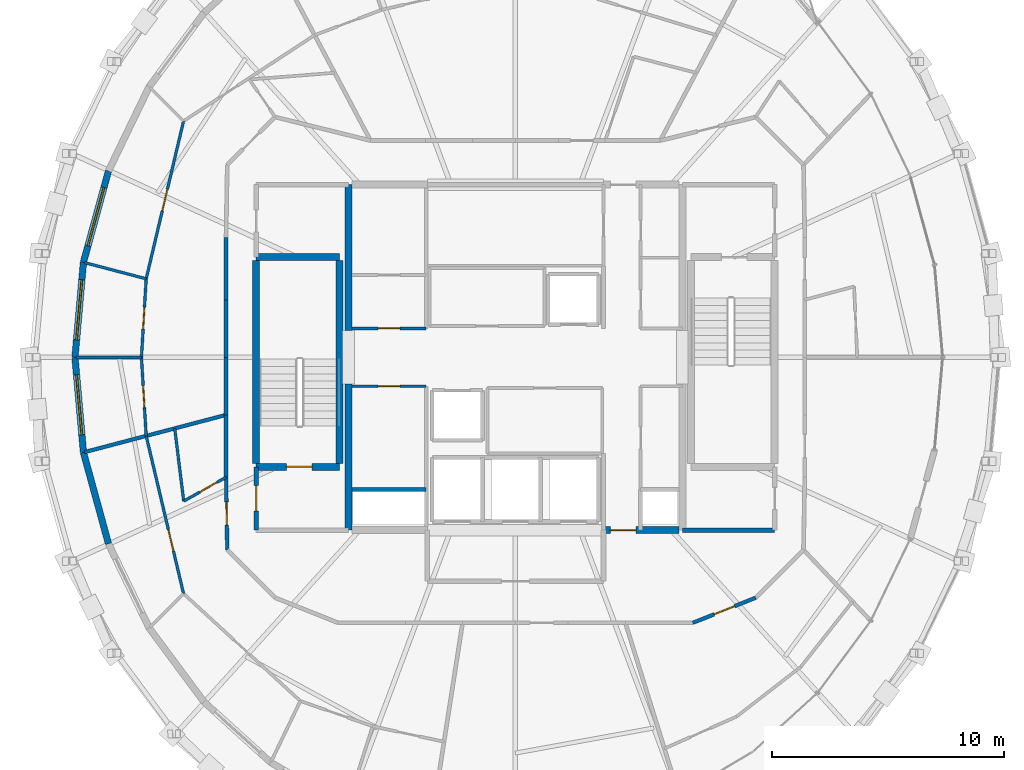
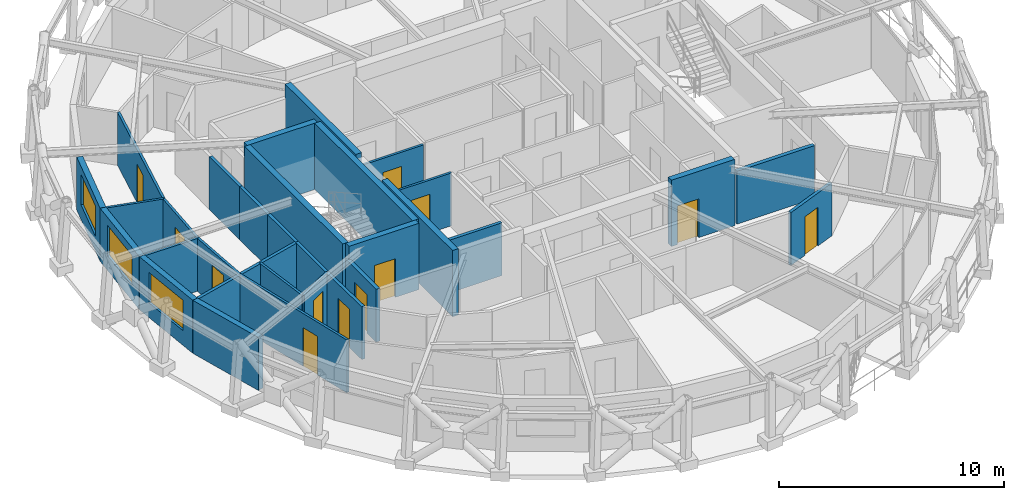
# One storey, part 11 of 15: 31 walls, 12 doors, 3 windows, 15 openings.
"""IFC4 building model written with IfcOpenShell, lengths in metres."""

from ifc_helpers import new_model, si_unit, direction, frame, frame_2d, origin, place, context, subcontext, project, spatial, rectangle, extrude, material, layer, layer_set, type_object, element, fill, save


model = new_model("IFC4")

# Units and contexts
model_context = context("Model", 3, precision=1e-05, world=origin(), true_north=direction((0.0, 1.0)))
body_context = subcontext(model_context, "Body", "Model", "MODEL_VIEW")
ifc_project = project(units=[si_unit("LENGTHUNIT", "METRE"), si_unit("AREAUNIT", "SQUARE_METRE"), si_unit("VOLUMEUNIT", "CUBIC_METRE"), si_unit("PLANEANGLEUNIT", "RADIAN"), si_unit("MASSUNIT", "GRAM", prefix="KILO")], contexts=[model_context])

# Site, building, storey
site_placement = place(None, origin())
site = spatial("IfcSite", under=ifc_project, at=site_placement, CompositionType="ELEMENT")
building_placement = place(site_placement, origin())
building = spatial("IfcBuilding", under=site, at=building_placement, Name="Veldorina Hangang Commons", CompositionType="ELEMENT")
storey_placement = place(building_placement, frame((0.0, 0.0, 276.0)))
storey = spatial("IfcBuildingStorey", under=building, at=storey_placement, Name="L72", CompositionType="ELEMENT", Elevation=276.0)

# Walls
ifc_material_1 = material(Name="Concrete C50/60", Category="concrete")
ifc_layer_1 = layer(ifc_material_1, 0.300048828125)
ifc_layer_set_1 = layer_set([ifc_layer_1], Name="Concrete C50/60")
wall_type_1 = type_object("IfcWallType", Name="CW-RC300-C50", PredefinedType="SHEAR", material=ifc_layer_set_1)
for number, where, z_axis, x_axis, name in (
    (1, (24.800048828125, 16.550048828125, 0.0), (0.0, 0.0, 1.0), (0.0, 1.0, 0.0), "L72 W south core shear wall"),
    (2, (24.800048828125, 25.14990234375, 0.0), (0.0, 0.0, 1.0), (0.0, 1.0, 0.0), "L72 W north core shear wall"),
):
    element("IfcWall", number, at=place(storey_placement, frame(where, z_axis=z_axis, x_axis=x_axis)), inside=storey, type_object=wall_type_1, Name=name, PredefinedType="SHEAR", context=body_context, shape_type="SweptSolid", body=[
        extrude(rectangle(XDim=6.300048828125, YDim=0.300048828125, at=frame_2d((3.14990234375, 0.0))), origin(), (0.0, 0.0, 1.0), 3.60009765625),
    ])

# Wall, opening, door
wall_1_placement = place(storey_placement, frame((35.800048828125, 16.550048828125, 0.0), z_axis=(0.0, 0.0, 1.0), x_axis=(1.0, 0.0, 0.0)))
wall_1 = element("IfcWall", 3, at=wall_1_placement, inside=storey, type_object=wall_type_1, Name="L72 south-east core shear wall", PredefinedType="SHEAR", context=body_context, shape_type="SweptSolid", body=[
    extrude(rectangle(XDim=3.25, YDim=0.300048828125, at=frame_2d((1.625, 0.0))), origin(), (0.0, 0.0, 1.0), 3.60009765625),
])
opening_1_placement = place(wall_1_placement, frame((0.300048828125, 0.0, 0.0)))
opening_1 = element("IfcOpeningElement", 4, at=opening_1_placement, cuts=wall_1, Name="Opening D-08", PredefinedType="OPENING", context=body_context, shape_type="SweptSolid", body=[
    extrude(rectangle(XDim=1.10009765625, YDim=2.10009765625, at=frame_2d((0.550048828125, 1.050048828125))), frame((0.0, 0.16015625, 0.0), z_axis=(0.0, -1.0, 0.0), x_axis=(1.0, 0.0, 0.0)), (0.0, 0.0, 1.0), 0.320068359375),
])
ifc_material_2 = material(Name="Steel Fire-Rated Smoke Seal", Category="steel")
door_type_1 = type_object("IfcDoorType", Name="DR-FIRE-1100", OperationType="SINGLE_SWING_RIGHT", PredefinedType="DOOR", material=ifc_material_2)
door_1_placement = place(opening_1_placement, origin())
door_1 = element("IfcDoor", 5, at=door_1_placement, inside=storey, type_object=door_type_1, Name="L72 central lift lobby south corridor door", OperationType="SINGLE_SWING_RIGHT", OverallHeight=2.10009765625, OverallWidth=1.10009765625, PredefinedType="DOOR", context=body_context, shape_type="SweptSolid", body=[
    extrude(rectangle(XDim=1.10009765625, YDim=2.10009765625, at=frame_2d((0.550048828125, 1.050048828125))), frame((0.0, 0.02490234375, 0.0), z_axis=(0.0, -1.0, 0.0), x_axis=(1.0, 0.0, 0.0)), (0.0, 0.0, 1.0), 0.050048828125),
])
fill(opening_1, door_1)

# Wall, opening, window
ifc_material_3 = material(Name="Stone Roman Travertine", Category="masonry")
ifc_layer_2 = layer(ifc_material_3, 0.280029296875)
ifc_layer_set_2 = layer_set([ifc_layer_2], Name="Stone Roman Travertine")
wall_type_2 = type_object("IfcWallType", Name="EW-TRAV-280", PredefinedType="STANDARD", material=ifc_layer_set_2)
wall_2_placement = place(storey_placement, frame((14.450927734375, 32.041259765625, 0.0), z_axis=(0.0, 0.0, 1.0), x_axis=(-0.264426176781, -0.964405929592, 0.0)))
wall_2 = element("IfcWall", 6, at=wall_2_placement, inside=storey, type_object=wall_type_2, Name="L72 travertine facade wall 14", PredefinedType="STANDARD", context=body_context, shape_type="SweptSolid", body=[
    extrude(rectangle(XDim=4.08740234375, YDim=0.280029296875, at=frame_2d((2.043701171875, 0.0))), origin(), (0.0, 0.0, 1.0), 2.8798828125),
])
opening_2_placement = place(wall_2_placement, frame((0.74365234375, 0.0, 0.800048828125)))
opening_2 = element("IfcOpeningElement", 7, at=opening_2_placement, cuts=wall_2, Name="Opening W-02", PredefinedType="OPENING", context=body_context, shape_type="SweptSolid", body=[
    extrude(rectangle(XDim=2.60009765625, YDim=1.64990234375, at=frame_2d((1.300048828125, 0.824951171875))), frame((0.0, 0.14990234375, 0.0), z_axis=(0.0, -1.0, 0.0), x_axis=(1.0, 0.0, 0.0)), (0.0, 0.0, 1.0), 0.300048828125),
])
ifc_material_4 = material(Name="Glass Low-E Triple IGU", Category="glass")
window_type = type_object("IfcWindowType", Name="WIN-TWR-2600", PartitioningType="SINGLE_PANEL", PredefinedType="WINDOW", material=ifc_material_4)
window_1_placement = place(opening_2_placement, origin())
window_1 = element("IfcWindow", 8, at=window_1_placement, inside=storey, type_object=window_type, Name="L72 facade window 14", OverallHeight=1.64990234375, OverallWidth=2.60009765625, PartitioningType="SINGLE_PANEL", PredefinedType="WINDOW", context=body_context, shape_type="SweptSolid", body=[
    extrude(rectangle(XDim=2.60009765625, YDim=1.64990234375, at=frame_2d((1.300048828125, 0.824951171875))), frame((0.0, 0.030029296875, 0.0), z_axis=(0.0, -1.0, 0.0), x_axis=(1.0, 0.0, 0.0)), (0.0, 0.0, 1.0), 0.06005859375),
])
fill(opening_2, window_1)

wall_3_placement = place(storey_placement, frame((13.3701171875, 28.099365234375, 0.0), z_axis=(0.0, 0.0, 1.0), x_axis=(-0.08868496751, -0.996059725387, 0.0)))
wall_3 = element("IfcWall", 9, at=wall_3_placement, inside=storey, type_object=wall_type_2, Name="L72 travertine facade wall 15", PredefinedType="STANDARD", context=body_context, shape_type="SweptSolid", body=[
    extrude(rectangle(XDim=4.115478515625, YDim=0.280029296875, at=frame_2d((2.0576171875, 0.0))), origin(), (0.0, 0.0, 1.0), 2.8798828125),
])
opening_3_placement = place(wall_3_placement, frame((0.7578125, 0.0, 0.800048828125)))
opening_3 = element("IfcOpeningElement", 10, at=opening_3_placement, cuts=wall_3, Name="Opening W-02", PredefinedType="OPENING", context=body_context, shape_type="SweptSolid", body=[
    extrude(rectangle(XDim=2.60009765625, YDim=1.64990234375, at=frame_2d((1.300048828125, 0.824951171875))), frame((0.0, 0.14990234375, 0.0), z_axis=(0.0, -1.0, 0.0), x_axis=(1.0, 0.0, 0.0)), (0.0, 0.0, 1.0), 0.300048828125),
])
window_2_placement = place(opening_3_placement, origin())
window_2 = element("IfcWindow", 11, at=window_2_placement, inside=storey, type_object=window_type, Name="L72 facade window 15", OverallHeight=1.64990234375, OverallWidth=2.60009765625, PartitioningType="SINGLE_PANEL", PredefinedType="WINDOW", context=body_context, shape_type="SweptSolid", body=[
    extrude(rectangle(XDim=2.60009765625, YDim=1.64990234375, at=frame_2d((1.300048828125, 0.824951171875))), frame((0.0, 0.030029296875, 0.0), z_axis=(0.0, -1.0, 0.0), x_axis=(1.0, 0.0, 0.0)), (0.0, 0.0, 1.0), 0.06005859375),
])
fill(opening_3, window_2)

wall_4_placement = place(storey_placement, frame((13.005126953125, 24.0, 0.0), z_axis=(0.0, 0.0, 1.0), x_axis=(0.08868496751, -0.996059725387, 0.0)))
wall_4 = element("IfcWall", 12, at=wall_4_placement, inside=storey, type_object=wall_type_2, Name="L72 travertine facade wall 16", PredefinedType="STANDARD", context=body_context, shape_type="SweptSolid", body=[
    extrude(rectangle(XDim=4.115478515625, YDim=0.280029296875, at=frame_2d((2.0576171875, 0.0))), origin(), (0.0, 0.0, 1.0), 2.8798828125),
])
opening_4_placement = place(wall_4_placement, frame((0.7578125, 0.0, 0.800048828125)))
opening_4 = element("IfcOpeningElement", 13, at=opening_4_placement, cuts=wall_4, Name="Opening W-02", PredefinedType="OPENING", context=body_context, shape_type="SweptSolid", body=[
    extrude(rectangle(XDim=2.60009765625, YDim=1.64990234375, at=frame_2d((1.300048828125, 0.824951171875))), frame((0.0, 0.14990234375, 0.0), z_axis=(0.0, -1.0, 0.0), x_axis=(1.0, 0.0, 0.0)), (0.0, 0.0, 1.0), 0.300048828125),
])
window_3_placement = place(opening_4_placement, origin())
window_3 = element("IfcWindow", 14, at=window_3_placement, inside=storey, type_object=window_type, Name="L72 facade window 16", OverallHeight=1.64990234375, OverallWidth=2.60009765625, PartitioningType="SINGLE_PANEL", PredefinedType="WINDOW", context=body_context, shape_type="SweptSolid", body=[
    extrude(rectangle(XDim=2.60009765625, YDim=1.64990234375, at=frame_2d((1.300048828125, 0.824951171875))), frame((0.0, 0.030029296875, 0.0), z_axis=(0.0, -1.0, 0.0), x_axis=(1.0, 0.0, 0.0)), (0.0, 0.0, 1.0), 0.06005859375),
])
fill(opening_4, window_3)

# Walls
wall_5_placement = place(storey_placement, frame((13.3701171875, 19.900634765625, 0.0), z_axis=(0.0, 0.0, 1.0), x_axis=(0.264426176781, -0.964405929592, 0.0)))
element("IfcWall", 15, at=wall_5_placement, inside=storey, type_object=wall_type_2, Name="L72 travertine facade wall 17", PredefinedType="STANDARD", context=body_context, shape_type="SweptSolid", body=[
    extrude(rectangle(XDim=4.08740234375, YDim=0.280029296875, at=frame_2d((2.043701171875, 0.0))), origin(), (0.0, 0.0, 1.0), 2.8798828125),
])
ifc_layer_3 = layer(ifc_material_1, 0.300048828125)
ifc_layer_set_3 = layer_set([ifc_layer_3], Name="Concrete C50/60")
wall_type_3 = type_object("IfcWallType", Name="SW-STAIR-300", PredefinedType="SHEAR", material=ifc_layer_set_3)
for number, where, z_axis, x_axis, name in (
    (16, (20.820068359375, 19.429931640625, 0.0), (0.0, 0.0, 1.0), (0.0, 1.0, 0.0), "L72 ST1 outer stair shear wall"),
    (17, (24.419921875, 19.429931640625, 0.0), (0.0, 0.0, 1.0), (0.0, 1.0, 0.0), "L72 ST1 inner stair shear wall"),
):
    element("IfcWall", number, at=place(storey_placement, frame(where, z_axis=z_axis, x_axis=x_axis)), inside=storey, type_object=wall_type_3, Name=name, PredefinedType="SHEAR", context=body_context, shape_type="SweptSolid", body=[
        extrude(rectangle(XDim=8.739990234375, YDim=0.300048828125, at=frame_2d((4.3701171875, 0.0))), origin(), (0.0, 0.0, 1.0), 3.60009765625),
    ])

# Wall, opening, door
wall_6_placement = place(storey_placement, frame((20.820068359375, 19.280029296875, 0.0), z_axis=(0.0, 0.0, 1.0), x_axis=(1.0, 0.0, 0.0)))
wall_6 = element("IfcWall", 18, at=wall_6_placement, inside=storey, type_object=wall_type_3, Name="L72 ST1 south stair shear wall", PredefinedType="SHEAR", context=body_context, shape_type="SweptSolid", body=[
    extrude(rectangle(XDim=3.599853515625, YDim=0.300048828125, at=frame_2d((1.7998046875, 0.0))), origin(), (0.0, 0.0, 1.0), 3.60009765625),
])
opening_5_placement = place(wall_6_placement, frame((1.300048828125, 0.0, 0.0)))
opening_5 = element("IfcOpeningElement", 19, at=opening_5_placement, cuts=wall_6, Name="Opening D-08", PredefinedType="OPENING", context=body_context, shape_type="SweptSolid", body=[
    extrude(rectangle(XDim=1.10009765625, YDim=2.10009765625, at=frame_2d((0.550048828125, 1.050048828125))), frame((0.0, 0.16015625, 0.0), z_axis=(0.0, -1.0, 0.0), x_axis=(1.0, 0.0, 0.0)), (0.0, 0.0, 1.0), 0.320068359375),
])
door_2_placement = place(opening_5_placement, origin())
door_2 = element("IfcDoor", 20, at=door_2_placement, inside=storey, type_object=door_type_1, Name="L72 Special Escape Stair ST-1 door", OperationType="SINGLE_SWING_LEFT", OverallHeight=2.10009765625, OverallWidth=1.10009765625, PredefinedType="DOOR", context=body_context, shape_type="SweptSolid", body=[
    extrude(rectangle(XDim=1.10009765625, YDim=2.10009765625, at=frame_2d((0.550048828125, 1.050048828125))), frame((0.0, 0.02490234375, 0.0), z_axis=(0.0, -1.0, 0.0), x_axis=(1.0, 0.0, 0.0)), (0.0, 0.0, 1.0), 0.050048828125),
])
fill(opening_5, door_2)

# Walls
wall_7_placement = place(storey_placement, frame((20.820068359375, 28.320068359375, 0.0), z_axis=(0.0, 0.0, 1.0), x_axis=(1.0, 0.0, 0.0)))
element("IfcWall", 21, at=wall_7_placement, inside=storey, type_object=wall_type_3, Name="L72 ST1 north stair shear wall", PredefinedType="SHEAR", context=body_context, shape_type="SweptSolid", body=[
    extrude(rectangle(XDim=3.599853515625, YDim=0.300048828125, at=frame_2d((1.7998046875, 0.0))), origin(), (0.0, 0.0, 1.0), 3.60009765625),
])
ifc_material_5 = material(Name="Gypsum Fire-Rated Twin Stud Wall", Category="gypsum")
ifc_layer_4 = layer(ifc_material_5, 0.159912109375)
ifc_layer_set_4 = layer_set([ifc_layer_4], Name="Gypsum Fire-Rated Twin Stud Wall")
wall_type_4 = type_object("IfcWallType", Name="WL-FIRE-160", PredefinedType="SOLIDWALL", material=ifc_layer_set_4)
wall_8_placement = place(storey_placement, frame((24.949951171875, 18.300048828125, 0.0), z_axis=(0.0, 0.0, 1.0), x_axis=(1.0, 0.0, 0.0)))
element("IfcWall", 22, at=wall_8_placement, inside=storey, type_object=wall_type_4, Name="L72 Electrical riser wall 040", PredefinedType="SOLIDWALL", context=body_context, shape_type="SweptSolid", body=[
    extrude(rectangle(XDim=3.199951171875, YDim=0.159912109375, at=frame_2d((1.60009765625, 0.0))), origin(), (0.0, 0.0, 1.0), 2.8701171875),
])
wall_9_placement = place(storey_placement, frame((19.52001953125, 29.16943359375, 0.0), z_axis=(0.0, 0.0, 1.0), x_axis=(0.0, -1.0, 0.0)))
element("IfcWall", 23, at=wall_9_placement, inside=storey, type_object=wall_type_4, Name="L72 Compact collar outer wall 14 066", PredefinedType="SOLIDWALL", context=body_context, shape_type="SweptSolid", body=[
    extrude(rectangle(XDim=2.68701171875, YDim=0.159912109375, at=frame_2d((1.343505859375, 0.0))), origin(), (0.0, 0.0, 1.0), 2.8701171875),
])
for number, where, z_axis, x_axis, name in (
    (24, (19.52001953125, 26.482421875, 0.0), (0.0, 0.0, 1.0), (0.0, -1.0, 0.0), "L72 Compact collar outer wall 15 067"),
    (25, (19.52001953125, 24.0, 0.0), (0.0, 0.0, 1.0), (0.0, -1.0, 0.0), "L72 Compact collar outer wall 16 068"),
):
    element("IfcWall", number, at=place(storey_placement, frame(where, z_axis=z_axis, x_axis=x_axis)), inside=storey, type_object=wall_type_4, Name=name, PredefinedType="SOLIDWALL", context=body_context, shape_type="SweptSolid", body=[
        extrude(rectangle(XDim=2.482421875, YDim=0.159912109375, at=frame_2d((1.2412109375, 0.0))), origin(), (0.0, 0.0, 1.0), 2.8701171875),
    ])
wall_10_placement = place(storey_placement, frame((19.52001953125, 21.517578125, 0.0), z_axis=(0.0, 0.0, 1.0), x_axis=(0.0, -1.0, 0.0)))
element("IfcWall", 26, at=wall_10_placement, inside=storey, type_object=wall_type_4, Name="L72 Compact collar outer wall 17 069", PredefinedType="SOLIDWALL", context=body_context, shape_type="SweptSolid", body=[
    extrude(rectangle(XDim=2.68701171875, YDim=0.159912109375, at=frame_2d((1.343505859375, 0.0))), origin(), (0.0, 0.0, 1.0), 2.8701171875),
])

# Wall, opening, door
wall_11_placement = place(storey_placement, frame((19.52001953125, 18.83056640625, 0.0), z_axis=(0.0, 0.0, 1.0), x_axis=(0.016981035134, -0.999855811828, 0.0)))
wall_11 = element("IfcWall", 27, at=wall_11_placement, inside=storey, type_object=wall_type_4, Name="L72 Compact collar outer wall 18 070", PredefinedType="SOLIDWALL", context=body_context, shape_type="SweptSolid", body=[
    extrude(rectangle(XDim=3.13427734375, YDim=0.159912109375, at=frame_2d((1.567138671875, 0.0))), origin(), (0.0, 0.0, 1.0), 2.8701171875),
])
opening_6_placement = place(wall_11_placement, frame((1.067138671875, 0.0, 0.0)))
opening_6 = element("IfcOpeningElement", 28, at=opening_6_placement, cuts=wall_11, Name="Opening D-06", PredefinedType="OPENING", context=body_context, shape_type="SweptSolid", body=[
    extrude(rectangle(XDim=1.0, YDim=2.10009765625, at=frame_2d((0.5, 1.050048828125))), frame((0.0, 0.08984375, 0.0), z_axis=(0.0, -1.0, 0.0), x_axis=(1.0, 0.0, 0.0)), (0.0, 0.0, 1.0), 0.179931640625),
])
ifc_material_6 = material(Name="Timber Fire-Rated Entrance Core", Category="wood")
door_type_2 = type_object("IfcDoorType", Name="DR-UNIT-1000", OperationType="SINGLE_SWING_LEFT", PredefinedType="DOOR", material=ifc_material_6)
door_3_placement = place(opening_6_placement, origin())
door_3 = element("IfcDoor", 29, at=door_3_placement, inside=storey, type_object=door_type_2, Name="L72 Cluster 6 entrance door 038", OperationType="SINGLE_SWING_RIGHT", OverallHeight=2.10009765625, OverallWidth=1.0, PredefinedType="DOOR", context=body_context, shape_type="SweptSolid", body=[
    extrude(rectangle(XDim=1.0, YDim=2.10009765625, at=frame_2d((0.5, 1.050048828125))), frame((0.0, 0.02490234375, 0.0), z_axis=(0.0, -1.0, 0.0), x_axis=(1.0, 0.0, 0.0)), (0.0, 0.0, 1.0), 0.050048828125),
])
fill(opening_6, door_3)

wall_12_placement = place(storey_placement, frame((39.650634765625, 12.550048828125, 0.0), z_axis=(0.0, 0.0, 1.0), x_axis=(0.92856882165, 0.371160266542, 0.0)))
wall_12 = element("IfcWall", 30, at=wall_12_placement, inside=storey, type_object=wall_type_4, Name="L72 Compact collar outer wall 27 079", PredefinedType="SOLIDWALL", context=body_context, shape_type="SweptSolid", body=[
    extrude(rectangle(XDim=2.923095703125, YDim=0.159912109375, at=frame_2d((1.46142578125, 0.0))), origin(), (0.0, 0.0, 1.0), 2.8701171875),
])
opening_7_placement = place(wall_12_placement, frame((0.986572265625, 0.0, 0.0)))
opening_7 = element("IfcOpeningElement", 31, at=opening_7_placement, cuts=wall_12, Name="Opening D-02", PredefinedType="OPENING", context=body_context, shape_type="SweptSolid", body=[
    extrude(rectangle(XDim=0.949951171875, YDim=2.10009765625, at=frame_2d((0.47509765625, 1.050048828125))), frame((0.0, 0.08984375, 0.0), z_axis=(0.0, -1.0, 0.0), x_axis=(1.0, 0.0, 0.0)), (0.0, 0.0, 1.0), 0.179931640625),
])
ifc_material_7 = material(Name="Timber Solid Core Acoustic", Category="wood")
door_type_3 = type_object("IfcDoorType", Name="DR-INT-950", OperationType="SINGLE_SWING_LEFT", PredefinedType="DOOR", material=ifc_material_7)
door_4_placement = place(opening_7_placement, origin())
door_4 = element("IfcDoor", 32, at=door_4_placement, inside=storey, type_object=door_type_3, Name="L72 Linen drying store door 044", OperationType="SINGLE_SWING_RIGHT", OverallHeight=2.10009765625, OverallWidth=0.949951171875, PredefinedType="DOOR", context=body_context, shape_type="SweptSolid", body=[
    extrude(rectangle(XDim=0.949951171875, YDim=2.10009765625, at=frame_2d((0.47509765625, 1.050048828125))), frame((0.0, 0.02490234375, 0.0), z_axis=(0.0, -1.0, 0.0), x_axis=(1.0, 0.0, 0.0)), (0.0, 0.0, 1.0), 0.050048828125),
])
fill(opening_7, door_4)

# Wall
wall_13_placement = place(storey_placement, frame((19.52001953125, 21.517578125, 0.0), z_axis=(0.0, 0.0, 1.0), x_axis=(-0.967130154466, -0.254281859995, 0.0)))
element("IfcWall", 33, at=wall_13_placement, inside=storey, type_object=wall_type_4, Name="L72 Unit party wall 17 111", PredefinedType="SOLIDWALL", context=body_context, shape_type="SweptSolid", body=[
    extrude(rectangle(XDim=6.308837890625, YDim=0.159912109375, at=frame_2d((3.154296875, 0.0))), origin(), (0.0, 0.0, 1.0), 2.8701171875),
])

# Wall, opening, door
ifc_material_8 = material(Name="Concrete Blockwork Fire Wall C30/37", Category="masonry")
ifc_layer_5 = layer(ifc_material_8, 0.199951171875)
ifc_layer_set_5 = layer_set([ifc_layer_5], Name="Concrete Blockwork Fire Wall C30/37")
wall_type_5 = type_object("IfcWallType", Name="WL-FIRE-200", PredefinedType="SOLIDWALL", material=ifc_layer_set_5)
wall_14_placement = place(storey_placement, frame((20.820068359375, 16.550048828125, 0.0), z_axis=(0.0, 0.0, 1.0), x_axis=(0.0, 1.0, 0.0)))
wall_14 = element("IfcWall", 34, at=wall_14_placement, inside=storey, type_object=wall_type_5, Name="L72 West vestibule outer wall 001", PredefinedType="SOLIDWALL", context=body_context, shape_type="SweptSolid", body=[
    extrude(rectangle(XDim=2.72998046875, YDim=0.199951171875, at=frame_2d((1.364990234375, 0.0))), origin(), (0.0, 0.0, 1.0), 2.8701171875),
])
opening_8_placement = place(wall_14_placement, frame((0.81494140625, 0.0, 0.0)))
opening_8 = element("IfcOpeningElement", 35, at=opening_8_placement, cuts=wall_14, Name="Opening D-08", PredefinedType="OPENING", context=body_context, shape_type="SweptSolid", body=[
    extrude(rectangle(XDim=1.10009765625, YDim=2.10009765625, at=frame_2d((0.550048828125, 1.050048828125))), frame((0.0, 0.10986328125, 0.0), z_axis=(0.0, -1.0, 0.0), x_axis=(1.0, 0.0, 0.0)), (0.0, 0.0, 1.0), 0.219970703125),
])
door_5_placement = place(opening_8_placement, origin())
door_5 = element("IfcDoor", 36, at=door_5_placement, inside=storey, type_object=door_type_1, Name="L72 West vestibule west door 001", OperationType="SINGLE_SWING_LEFT", OverallHeight=2.10009765625, OverallWidth=1.10009765625, PredefinedType="DOOR", context=body_context, shape_type="SweptSolid", body=[
    extrude(rectangle(XDim=1.10009765625, YDim=2.10009765625, at=frame_2d((0.550048828125, 1.050048828125))), frame((0.0, 0.02490234375, 0.0), z_axis=(0.0, -1.0, 0.0), x_axis=(1.0, 0.0, 0.0)), (0.0, 0.0, 1.0), 0.050048828125),
])
fill(opening_8, door_5)

# Wall
wall_15_placement = place(storey_placement, frame((39.199951171875, 16.550048828125, 0.0), z_axis=(0.0, 0.0, 1.0), x_axis=(1.0, 0.0, 0.0)))
element("IfcWall", 37, at=wall_15_placement, inside=storey, type_object=wall_type_5, Name="L72 SE core room south wall 008", PredefinedType="SOLIDWALL", context=body_context, shape_type="SweptSolid", body=[
    extrude(rectangle(XDim=3.97998046875, YDim=0.199951171875, at=frame_2d((1.989990234375, 0.0))), origin(), (0.0, 0.0, 1.0), 2.8701171875),
])

# Wall, opening, door
ifc_material_9 = material(Name="Gypsum Acoustic Stud Partition", Category="gypsum")
ifc_layer_6 = layer(ifc_material_9, 0.1201171875)
ifc_layer_set_6 = layer_set([ifc_layer_6], Name="Gypsum Acoustic Stud Partition")
wall_type_6 = type_object("IfcWallType", Name="WL-PART-120", PredefinedType="PARTITIONING", material=ifc_layer_set_6)
wall_16_placement = place(storey_placement, frame((24.949951171875, 25.25, 0.0), z_axis=(0.0, 0.0, 1.0), x_axis=(1.0, 0.0, 0.0)))
wall_16 = element("IfcWall", 38, at=wall_16_placement, inside=storey, type_object=wall_type_6, Name="L72 NW service south wall 044", PredefinedType="PARTITIONING", context=body_context, shape_type="SweptSolid", body=[
    extrude(rectangle(XDim=3.199951171875, YDim=0.1201171875, at=frame_2d((1.60009765625, 0.0))), origin(), (0.0, 0.0, 1.0), 2.8701171875),
])
opening_9_placement = place(wall_16_placement, frame((1.125, 0.0, 0.0)))
opening_9 = element("IfcOpeningElement", 39, at=opening_9_placement, cuts=wall_16, Name="Opening D-02", PredefinedType="OPENING", context=body_context, shape_type="SweptSolid", body=[
    extrude(rectangle(XDim=0.949951171875, YDim=2.10009765625, at=frame_2d((0.47509765625, 1.050048828125))), frame((0.0, 0.070068359375, 0.0), z_axis=(0.0, -1.0, 0.0), x_axis=(1.0, 0.0, 0.0)), (0.0, 0.0, 1.0), 0.14013671875),
])
door_6_placement = place(opening_9_placement, origin())
door_6 = element("IfcDoor", 40, at=door_6_placement, inside=storey, type_object=door_type_3, Name="L72 Housekeeping pantry door 014", OperationType="SINGLE_SWING_RIGHT", OverallHeight=2.10009765625, OverallWidth=0.949951171875, PredefinedType="DOOR", context=body_context, shape_type="SweptSolid", body=[
    extrude(rectangle(XDim=0.949951171875, YDim=2.10009765625, at=frame_2d((0.47509765625, 1.050048828125))), frame((0.0, 0.02490234375, 0.0), z_axis=(0.0, -1.0, 0.0), x_axis=(1.0, 0.0, 0.0)), (0.0, 0.0, 1.0), 0.050048828125),
])
fill(opening_9, door_6)

wall_17_placement = place(storey_placement, frame((24.949951171875, 22.75, 0.0), z_axis=(0.0, 0.0, 1.0), x_axis=(1.0, 0.0, 0.0)))
wall_17 = element("IfcWall", 41, at=wall_17_placement, inside=storey, type_object=wall_type_6, Name="L72 SW service north wall 045", PredefinedType="PARTITIONING", context=body_context, shape_type="SweptSolid", body=[
    extrude(rectangle(XDim=3.199951171875, YDim=0.1201171875, at=frame_2d((1.60009765625, 0.0))), origin(), (0.0, 0.0, 1.0), 2.8701171875),
])
opening_10_placement = place(wall_17_placement, frame((1.125, 0.0, 0.0)))
opening_10 = element("IfcOpeningElement", 42, at=opening_10_placement, cuts=wall_17, Name="Opening D-02", PredefinedType="OPENING", context=body_context, shape_type="SweptSolid", body=[
    extrude(rectangle(XDim=0.949951171875, YDim=2.10009765625, at=frame_2d((0.47509765625, 1.050048828125))), frame((0.0, 0.070068359375, 0.0), z_axis=(0.0, -1.0, 0.0), x_axis=(1.0, 0.0, 0.0)), (0.0, 0.0, 1.0), 0.14013671875),
])
door_7_placement = place(opening_10_placement, origin())
door_7 = element("IfcDoor", 43, at=door_7_placement, inside=storey, type_object=door_type_3, Name="L72 Waste sorting door 016", OperationType="SINGLE_SWING_RIGHT", OverallHeight=2.10009765625, OverallWidth=0.949951171875, PredefinedType="DOOR", context=body_context, shape_type="SweptSolid", body=[
    extrude(rectangle(XDim=0.949951171875, YDim=2.10009765625, at=frame_2d((0.47509765625, 1.050048828125))), frame((0.0, 0.02490234375, 0.0), z_axis=(0.0, -1.0, 0.0), x_axis=(1.0, 0.0, 0.0)), (0.0, 0.0, 1.0), 0.050048828125),
])
fill(opening_10, door_7)

wall_18_placement = place(storey_placement, frame((17.687744140625, 34.19091796875, 0.0), z_axis=(0.0, 0.0, 1.0), x_axis=(-0.230512502036, -0.973069363615, 0.0)))
wall_18 = element("IfcWall", 44, at=wall_18_placement, inside=storey, type_object=wall_type_6, Name="L72 Cluster 5 bed 2 front wall 105", PredefinedType="PARTITIONING", context=body_context, shape_type="SweptSolid", body=[
    extrude(rectangle(XDim=6.9912109375, YDim=0.1201171875, at=frame_2d((3.49560546875, 0.0))), origin(), (0.0, 0.0, 1.0), 2.8701171875),
])
opening_11_placement = place(wall_18_placement, frame((3.0205078125, 0.0, 0.0)))
opening_11 = element("IfcOpeningElement", 45, at=opening_11_placement, cuts=wall_18, Name="Opening D-02", PredefinedType="OPENING", context=body_context, shape_type="SweptSolid", body=[
    extrude(rectangle(XDim=0.949951171875, YDim=2.10009765625, at=frame_2d((0.47509765625, 1.050048828125))), frame((0.0, 0.070068359375, 0.0), z_axis=(0.0, -1.0, 0.0), x_axis=(1.0, 0.0, 0.0)), (0.0, 0.0, 1.0), 0.14013671875),
])
door_8_placement = place(opening_11_placement, origin())
door_8 = element("IfcDoor", 46, at=door_8_placement, inside=storey, type_object=door_type_3, Name="L72 Cluster 5 bed 2 door 034", OperationType="SINGLE_SWING_RIGHT", OverallHeight=2.10009765625, OverallWidth=0.949951171875, PredefinedType="DOOR", context=body_context, shape_type="SweptSolid", body=[
    extrude(rectangle(XDim=0.949951171875, YDim=2.10009765625, at=frame_2d((0.47509765625, 1.050048828125))), frame((0.0, 0.02490234375, 0.0), z_axis=(0.0, -1.0, 0.0), x_axis=(1.0, 0.0, 0.0)), (0.0, 0.0, 1.0), 0.050048828125),
])
fill(opening_11, door_8)

wall_19_placement = place(storey_placement, frame((16.076171875, 27.387939453125, 0.0), z_axis=(0.0, 0.0, 1.0), x_axis=(-0.060277885003, -0.998181635064, 0.0)))
wall_19 = element("IfcWall", 47, at=wall_19_placement, inside=storey, type_object=wall_type_6, Name="L72 Cluster 5 bed 3 front wall 107", PredefinedType="PARTITIONING", context=body_context, shape_type="SweptSolid", body=[
    extrude(rectangle(XDim=3.39404296875, YDim=0.1201171875, at=frame_2d((1.697021484375, 0.0))), origin(), (0.0, 0.0, 1.0), 2.8701171875),
])
opening_12_placement = place(wall_19_placement, frame((1.221923828125, 0.0, 0.0)))
opening_12 = element("IfcOpeningElement", 48, at=opening_12_placement, cuts=wall_19, Name="Opening D-02", PredefinedType="OPENING", context=body_context, shape_type="SweptSolid", body=[
    extrude(rectangle(XDim=0.949951171875, YDim=2.10009765625, at=frame_2d((0.47509765625, 1.050048828125))), frame((0.0, 0.070068359375, 0.0), z_axis=(0.0, -1.0, 0.0), x_axis=(1.0, 0.0, 0.0)), (0.0, 0.0, 1.0), 0.14013671875),
])
door_9_placement = place(opening_12_placement, origin())
door_9 = element("IfcDoor", 49, at=door_9_placement, inside=storey, type_object=door_type_3, Name="L72 Cluster 5 bed 3 door 035", OperationType="SINGLE_SWING_LEFT", OverallHeight=2.10009765625, OverallWidth=0.949951171875, PredefinedType="DOOR", context=body_context, shape_type="SweptSolid", body=[
    extrude(rectangle(XDim=0.949951171875, YDim=2.10009765625, at=frame_2d((0.47509765625, 1.050048828125))), frame((0.0, 0.02490234375, 0.0), z_axis=(0.0, -1.0, 0.0), x_axis=(1.0, 0.0, 0.0)), (0.0, 0.0, 1.0), 0.050048828125),
])
fill(opening_12, door_9)

# Wall
wall_20_placement = place(storey_placement, frame((16.076171875, 27.387939453125, 0.0), z_axis=(0.0, 0.0, 1.0), x_axis=(-0.96713435231, 0.25426589347, 0.0)))
element("IfcWall", 50, at=wall_20_placement, inside=storey, type_object=wall_type_6, Name="L72 Cluster 5 bed divider 2 108", PredefinedType="PARTITIONING", context=body_context, shape_type="SweptSolid", body=[
    extrude(rectangle(XDim=2.748046875, YDim=0.1201171875, at=frame_2d((1.3740234375, 0.0))), origin(), (0.0, 0.0, 1.0), 2.8701171875),
])

# Wall, opening, door
wall_21_placement = place(storey_placement, frame((15.87158203125, 24.0, 0.0), z_axis=(0.0, 0.0, 1.0), x_axis=(0.060277885003, -0.998181635064, 0.0)))
wall_21 = element("IfcWall", 51, at=wall_21_placement, inside=storey, type_object=wall_type_6, Name="L72 Cluster 5 bed 4 front wall 109", PredefinedType="PARTITIONING", context=body_context, shape_type="SweptSolid", body=[
    extrude(rectangle(XDim=3.39404296875, YDim=0.1201171875, at=frame_2d((1.697021484375, 0.0))), origin(), (0.0, 0.0, 1.0), 2.8701171875),
])
opening_13_placement = place(wall_21_placement, frame((1.221923828125, 0.0, 0.0)))
opening_13 = element("IfcOpeningElement", 52, at=opening_13_placement, cuts=wall_21, Name="Opening D-02", PredefinedType="OPENING", context=body_context, shape_type="SweptSolid", body=[
    extrude(rectangle(XDim=0.949951171875, YDim=2.10009765625, at=frame_2d((0.47509765625, 1.050048828125))), frame((0.0, 0.070068359375, 0.0), z_axis=(0.0, -1.0, 0.0), x_axis=(1.0, 0.0, 0.0)), (0.0, 0.0, 1.0), 0.14013671875),
])
door_10_placement = place(opening_13_placement, origin())
door_10 = element("IfcDoor", 53, at=door_10_placement, inside=storey, type_object=door_type_3, Name="L72 Cluster 5 bed 4 door 036", OperationType="SINGLE_SWING_RIGHT", OverallHeight=2.10009765625, OverallWidth=0.949951171875, PredefinedType="DOOR", context=body_context, shape_type="SweptSolid", body=[
    extrude(rectangle(XDim=0.949951171875, YDim=2.10009765625, at=frame_2d((0.47509765625, 1.050048828125))), frame((0.0, 0.02490234375, 0.0), z_axis=(0.0, -1.0, 0.0), x_axis=(1.0, 0.0, 0.0)), (0.0, 0.0, 1.0), 0.050048828125),
])
fill(opening_13, door_10)

# Walls
wall_22_placement = place(storey_placement, frame((15.87158203125, 24.0, 0.0), z_axis=(0.0, 0.0, 1.0), x_axis=(-1.0, 0.0, 0.0)))
element("IfcWall", 54, at=wall_22_placement, inside=storey, type_object=wall_type_6, Name="L72 Cluster 5 bed divider 3 110", PredefinedType="PARTITIONING", context=body_context, shape_type="SweptSolid", body=[
    extrude(rectangle(XDim=2.81640625, YDim=0.1201171875, at=frame_2d((1.408203125, 0.0))), origin(), (0.0, 0.0, 1.0), 2.8701171875),
])
wall_23_placement = place(storey_placement, frame((17.305908203125, 20.935546875, 0.0), z_axis=(0.0, 0.0, 1.0), x_axis=(0.12312261881, -0.99239146547, 0.0)))
element("IfcWall", 55, at=wall_23_placement, inside=storey, type_object=wall_type_6, Name="L72 Cluster 6 bath front wall 112", PredefinedType="PARTITIONING", context=body_context, shape_type="SweptSolid", body=[
    extrude(rectangle(XDim=3.162841796875, YDim=0.1201171875, at=frame_2d((1.58154296875, 0.0))), origin(), (0.0, 0.0, 1.0), 2.8701171875),
])

# Wall, opening, door
wall_24_placement = place(storey_placement, frame((19.52001953125, 18.83056640625, 0.0), z_axis=(0.0, 0.0, 1.0), x_axis=(-0.870085428534, -0.49290095055, 0.0)))
wall_24 = element("IfcWall", 56, at=wall_24_placement, inside=storey, type_object=wall_type_6, Name="L72 Cluster 6 bath side wall 113", PredefinedType="PARTITIONING", context=body_context, shape_type="SweptSolid", body=[
    extrude(rectangle(XDim=2.09716796875, YDim=0.1201171875, at=frame_2d((1.048583984375, 0.0))), origin(), (0.0, 0.0, 1.0), 2.8701171875),
])
opening_14_placement = place(wall_24_placement, frame((0.43994140625, 0.0, 0.0)))
opening_14 = element("IfcOpeningElement", 57, at=opening_14_placement, cuts=wall_24, Name="Opening D-01", PredefinedType="OPENING", context=body_context, shape_type="SweptSolid", body=[
    extrude(rectangle(XDim=0.860107421875, YDim=2.10009765625, at=frame_2d((0.43017578125, 1.050048828125))), frame((0.0, 0.070068359375, 0.0), z_axis=(0.0, -1.0, 0.0), x_axis=(1.0, 0.0, 0.0)), (0.0, 0.0, 1.0), 0.14013671875),
])
ifc_material_10 = material(Name="Timber Moisture-Resistant Core", Category="wood")
door_type_4 = type_object("IfcDoorType", Name="DR-WET-860", OperationType="SINGLE_SWING_LEFT", PredefinedType="DOOR", material=ifc_material_10)
door_11_placement = place(opening_14_placement, origin())
door_11 = element("IfcDoor", 58, at=door_11_placement, inside=storey, type_object=door_type_4, Name="L72 Cluster 6 shared bathroom door 037", OperationType="SINGLE_SWING_LEFT", OverallHeight=2.10009765625, OverallWidth=0.860107421875, PredefinedType="DOOR", context=body_context, shape_type="SweptSolid", body=[
    extrude(rectangle(XDim=0.860107421875, YDim=2.10009765625, at=frame_2d((0.43017578125, 1.050048828125))), frame((0.0, 0.02490234375, 0.0), z_axis=(0.0, -1.0, 0.0), x_axis=(1.0, 0.0, 0.0)), (0.0, 0.0, 1.0), 0.050048828125),
])
fill(opening_14, door_11)

wall_25_placement = place(storey_placement, frame((16.076171875, 20.612060546875, 0.0), z_axis=(0.0, 0.0, 1.0), x_axis=(0.230512502036, -0.973069363615, 0.0)))
wall_25 = element("IfcWall", 59, at=wall_25_placement, inside=storey, type_object=wall_type_6, Name="L72 Cluster 6 bed 1 front wall 114", PredefinedType="PARTITIONING", context=body_context, shape_type="SweptSolid", body=[
    extrude(rectangle(XDim=6.9912109375, YDim=0.1201171875, at=frame_2d((3.49560546875, 0.0))), origin(), (0.0, 0.0, 1.0), 2.8701171875),
])
opening_15_placement = place(wall_25_placement, frame((4.156005859375, 0.0, 0.0)))
opening_15 = element("IfcOpeningElement", 60, at=opening_15_placement, cuts=wall_25, Name="Opening D-02", PredefinedType="OPENING", context=body_context, shape_type="SweptSolid", body=[
    extrude(rectangle(XDim=0.949951171875, YDim=2.10009765625, at=frame_2d((0.47509765625, 1.050048828125))), frame((0.0, 0.070068359375, 0.0), z_axis=(0.0, -1.0, 0.0), x_axis=(1.0, 0.0, 0.0)), (0.0, 0.0, 1.0), 0.14013671875),
])
door_12_placement = place(opening_15_placement, origin())
door_12 = element("IfcDoor", 61, at=door_12_placement, inside=storey, type_object=door_type_3, Name="L72 Cluster 6 bed 1 door 039", OperationType="SINGLE_SWING_LEFT", OverallHeight=2.10009765625, OverallWidth=0.949951171875, PredefinedType="DOOR", context=body_context, shape_type="SweptSolid", body=[
    extrude(rectangle(XDim=0.949951171875, YDim=2.10009765625, at=frame_2d((0.47509765625, 1.050048828125))), frame((0.0, 0.02490234375, 0.0), z_axis=(0.0, -1.0, 0.0), x_axis=(1.0, 0.0, 0.0)), (0.0, 0.0, 1.0), 0.050048828125),
])
fill(opening_15, door_12)

save(model, "model.ifc")
